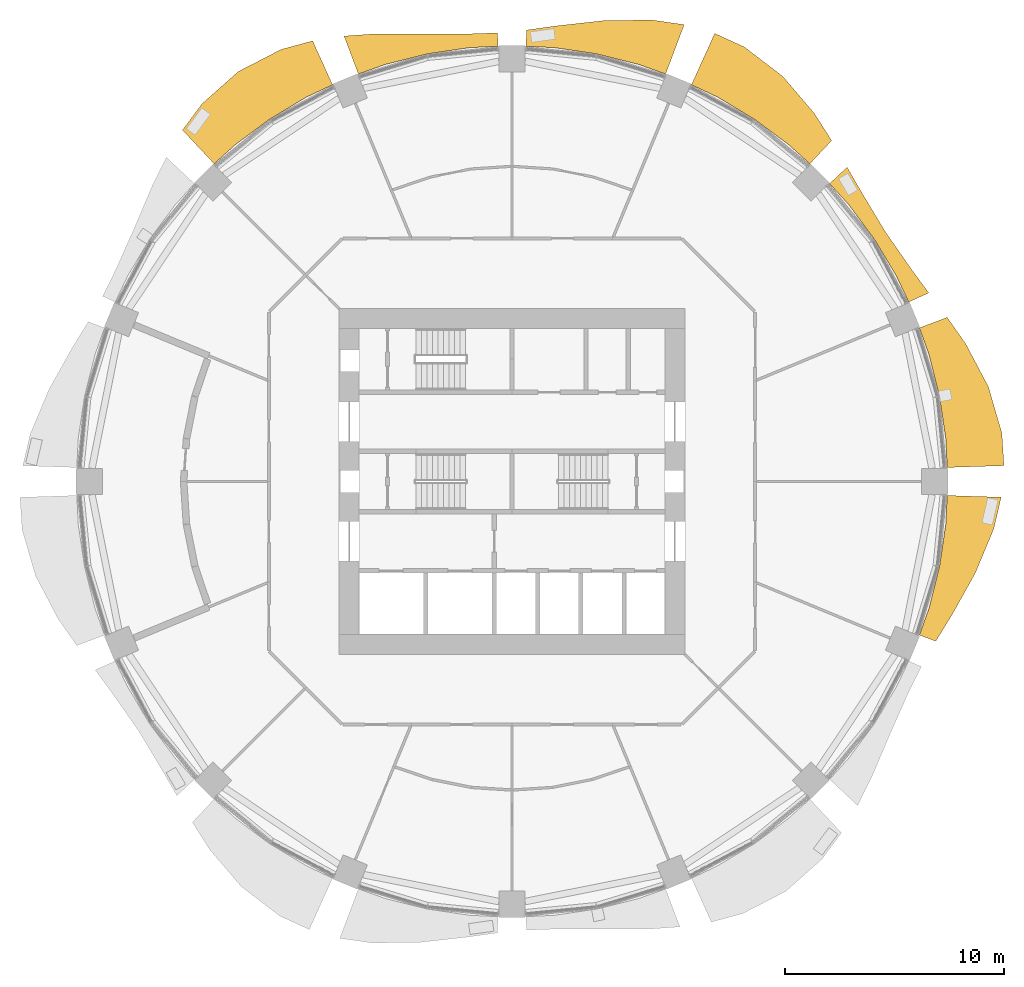
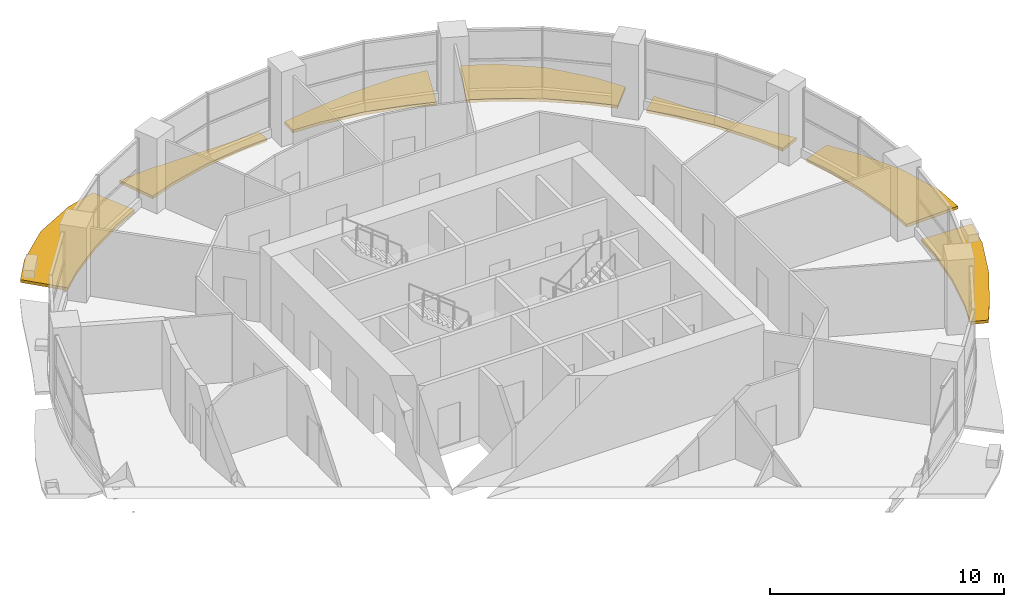
# One storey, part 14 of 15: 7 shading devices.
"""IFC4 building model written with IfcOpenShell, lengths in metres."""

from ifc_helpers import new_model, si_unit, direction, frame, origin, place, context, subcontext, project, spatial, polyline, outline, extrude, material, type_object, element, save


model = new_model("IFC4")

# Units and contexts
model_context = context("Model", 3, precision=1e-05, world=origin(), true_north=direction((0.0, 1.0)))
body_context = subcontext(model_context, "Body", "Model", "MODEL_VIEW")
ifc_project = project(units=[si_unit("LENGTHUNIT", "METRE"), si_unit("AREAUNIT", "SQUARE_METRE"), si_unit("VOLUMEUNIT", "CUBIC_METRE"), si_unit("PLANEANGLEUNIT", "RADIAN"), si_unit("MASSUNIT", "GRAM", prefix="KILO")], contexts=[model_context])

# Site, building, storey
site_placement = place(None, origin())
site = spatial("IfcSite", under=ifc_project, at=site_placement, CompositionType="ELEMENT")
building_placement = place(site_placement, origin())
building = spatial("IfcBuilding", under=site, at=building_placement, Name="Polderwave Tower", CompositionType="ELEMENT")
storey_placement = place(building_placement, frame((0.0, 0.0, 18.5)))
storey = spatial("IfcBuildingStorey", under=building, at=storey_placement, Name="L04", CompositionType="ELEMENT", Elevation=18.5)

# Shading devices
ifc_material = material(Name="Terracotta", Category="masonry")
shading_device_type = type_object("IfcShadingDeviceType", Name="Terracotta sunshade band", PredefinedType="USERDEFINED", material=ifc_material)
shading_device_1_placement = place(storey_placement, frame((0.0, 0.0, -0.39990234375)))
element("IfcShadingDevice", 1, at=shading_device_1_placement, inside=storey, type_object=shading_device_type, Name="Sunshade band L04 1", ObjectType="SUNSHADE", PredefinedType="USERDEFINED", context=body_context, shape_type="SweptSolid", body=[
    extrude(outline(polyline([(19.82861328125, 0.6376953125), (19.764404296875, 1.946533203125), (19.478515625, 3.87451171875), (19.0048828125, 5.76513671875), (18.563232421875, 6.9990234375), (19.827392578125, 7.4755859375), (20.673828125, 6.271240234375), (21.704345703125, 4.3173828125), (22.3212890625, 2.198486328125), (22.41650390625, 0.720703125), (19.82861328125, 0.6376953125)])), origin(), (0.0, 0.0, 1.0), 0.14990234375),
])
shading_device_2_placement = place(storey_placement, frame((0.0, 0.0, -0.39990234375)))
element("IfcShadingDevice", 2, at=shading_device_2_placement, inside=storey, type_object=shading_device_type, Name="Sunshade band L04 2", ObjectType="SUNSHADE", PredefinedType="USERDEFINED", context=body_context, shape_type="SweptSolid", body=[
    extrude(outline(polyline([(18.0751953125, 8.177001953125), (17.514892578125, 9.36181640625), (16.512939453125, 11.03369140625), (15.35205078125, 12.59912109375), (14.4716796875, 13.5703125), (15.267822265625, 14.316650390625), (15.96923828125, 13.105712890625), (17.012939453125, 11.36767578125), (18.168212890625, 9.711181640625), (18.990966796875, 8.59130859375), (18.0751953125, 8.177001953125)])), origin(), (0.0, 0.0, 1.0), 0.14990234375),
])
shading_device_3_placement = place(storey_placement, frame((0.0, 0.0, -0.39990234375)))
element("IfcShadingDevice", 3, at=shading_device_3_placement, inside=storey, type_object=shading_device_type, Name="Sunshade band L04 3", ObjectType="SUNSHADE", PredefinedType="USERDEFINED", context=body_context, shape_type="SweptSolid", body=[
    extrude(outline(polyline([(13.5703125, 14.4716796875), (12.59912109375, 15.35205078125), (11.03369140625, 16.512939453125), (9.36181640625, 17.514892578125), (8.177001953125, 18.0751953125), (9.23583984375, 20.41552734375), (10.582763671875, 19.798828125), (12.335205078125, 18.4609375), (13.77001953125, 16.77880859375), (14.563720703125, 15.531494140625), (13.5703125, 14.4716796875)])), origin(), (0.0, 0.0, 1.0), 0.14990234375),
])
shading_device_4_placement = place(storey_placement, frame((0.0, 0.0, -0.39990234375)))
element("IfcShadingDevice", 4, at=shading_device_4_placement, inside=storey, type_object=shading_device_type, Name="Sunshade band L04 4", ObjectType="SUNSHADE", PredefinedType="USERDEFINED", context=body_context, shape_type="SweptSolid", body=[
    extrude(outline(polyline([(6.9990234375, 18.563232421875), (5.76513671875, 19.0048828125), (3.87451171875, 19.478515625), (1.946533203125, 19.764404296875), (0.6376953125, 19.82861328125), (0.661376953125, 20.5673828125), (2.044921875, 20.76171875), (4.176513671875, 20.996826171875), (6.378173828125, 21.025634765625), (7.84716796875, 20.8125), (6.9990234375, 18.563232421875)])), origin(), (0.0, 0.0, 1.0), 0.14990234375),
])
shading_device_5_placement = place(storey_placement, frame((0.0, 0.0, -0.39990234375)))
element("IfcShadingDevice", 5, at=shading_device_5_placement, inside=storey, type_object=shading_device_type, Name="Sunshade band L04 5", ObjectType="SUNSHADE", PredefinedType="USERDEFINED", context=body_context, shape_type="SweptSolid", body=[
    extrude(outline(polyline([(-0.6376953125, 19.82861328125), (-1.946533203125, 19.764404296875), (-3.87451171875, 19.478515625), (-5.76513671875, 19.0048828125), (-6.9990234375, 18.563232421875), (-7.6513671875, 20.29345703125), (-6.187744140625, 20.398193359375), (-4.055908203125, 20.39111328125), (-2.00830078125, 20.39208984375), (-0.6572265625, 20.439208984375), (-0.6376953125, 19.82861328125)])), origin(), (0.0, 0.0, 1.0), 0.14990234375),
])
shading_device_6_placement = place(storey_placement, frame((0.0, 0.0, -0.39990234375)))
element("IfcShadingDevice", 6, at=shading_device_6_placement, inside=storey, type_object=shading_device_type, Name="Sunshade band L04 6", ObjectType="SUNSHADE", PredefinedType="USERDEFINED", context=body_context, shape_type="SweptSolid", body=[
    extrude(outline(polyline([(-8.177001953125, 18.0751953125), (-9.36181640625, 17.514892578125), (-11.03369140625, 16.512939453125), (-12.59912109375, 15.35205078125), (-13.5703125, 14.4716796875), (-15.0126953125, 16.010009765625), (-14.12255859375, 17.20849609375), (-12.477294921875, 18.673583984375), (-10.521240234375, 19.68359375), (-9.081787109375, 20.0751953125), (-8.177001953125, 18.0751953125)])), origin(), (0.0, 0.0, 1.0), 0.14990234375),
])
shading_device_7_placement = place(storey_placement, frame((0.0, 0.0, -0.39990234375)))
element("IfcShadingDevice", 7, at=shading_device_7_placement, inside=storey, type_object=shading_device_type, Name="Sunshade band L04 16", ObjectType="SUNSHADE", PredefinedType="USERDEFINED", context=body_context, shape_type="SweptSolid", body=[
    extrude(outline(polyline([(18.563232421875, -6.9990234375), (19.0048828125, -5.76513671875), (19.478515625, -3.87451171875), (19.764404296875, -1.946533203125), (19.82861328125, -0.6376953125), (22.288330078125, -0.716796875), (21.95166015625, -2.162109375), (21.098388671875, -4.19677734375), (20.046142578125, -6.0810546875), (19.308349609375, -7.280029296875), (18.563232421875, -6.9990234375)])), origin(), (0.0, 0.0, 1.0), 0.14990234375),
])

save(model, "model.ifc")
